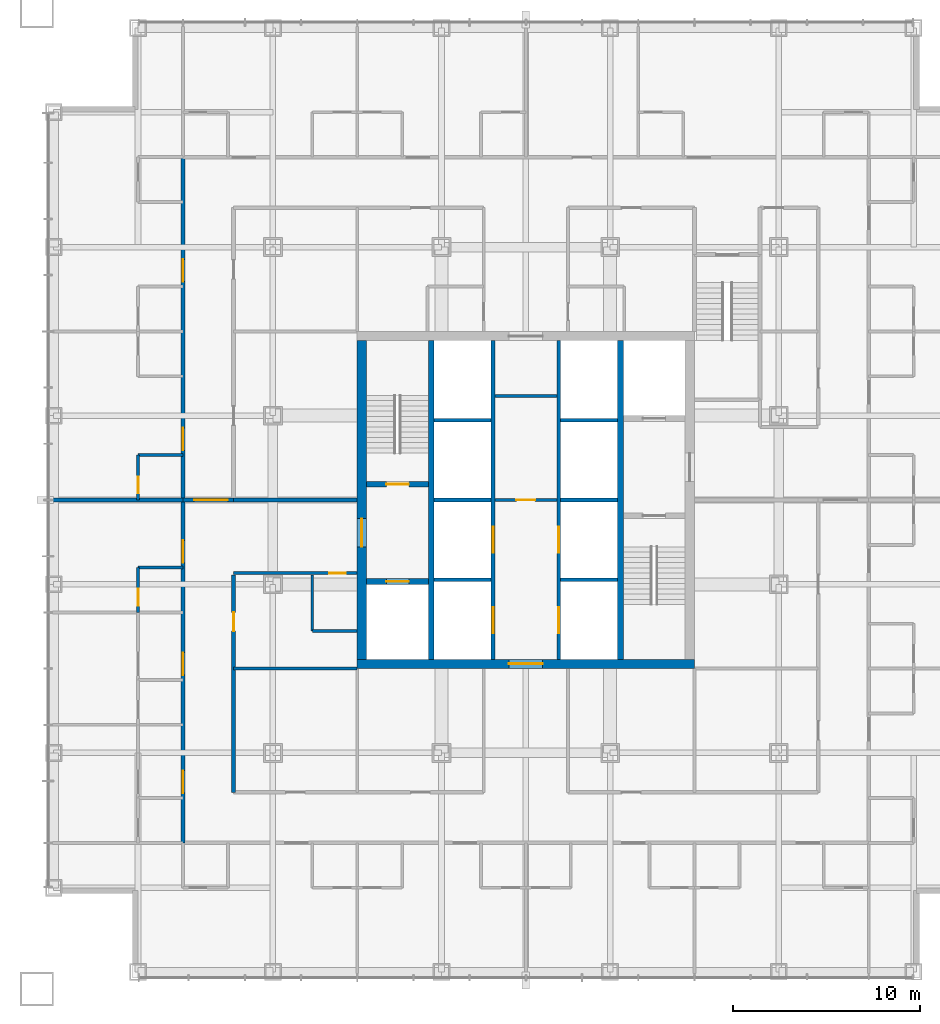
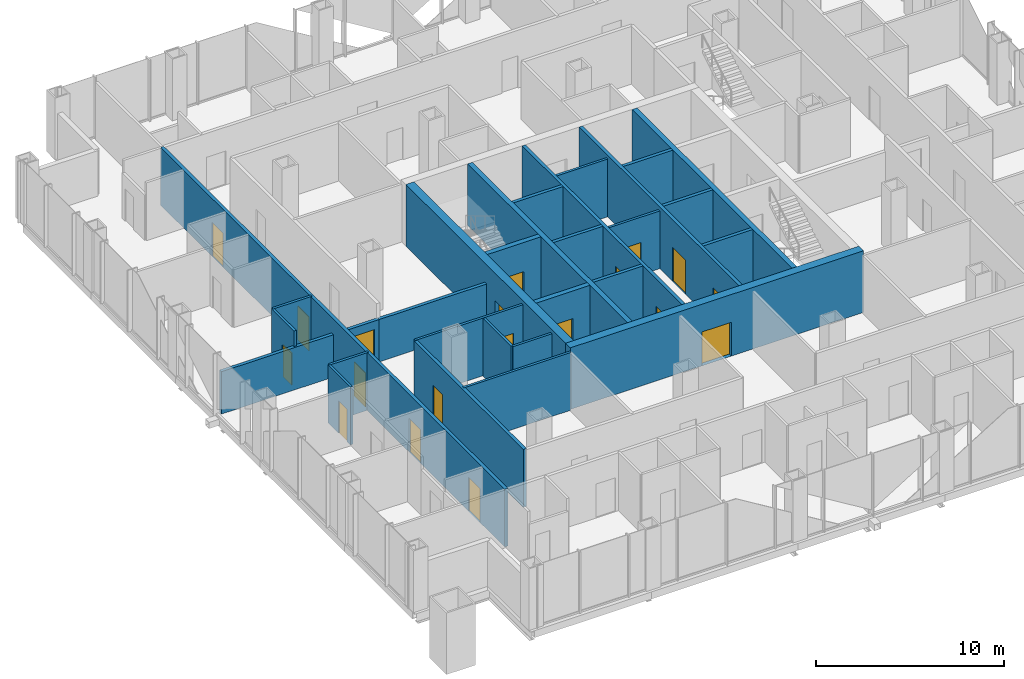
# One storey, part 8 of 13: 29 walls, 19 doors, 19 openings.
"""IFC4 building model written with IfcOpenShell, lengths in metres."""

from ifc_helpers import new_model, si_unit, direction, frame, frame_2d, origin, place, context, subcontext, project, spatial, rectangle, extrude, material, layer, layer_set, type_object, element, fill, save


model = new_model("IFC4")

# Units and contexts
model_context = context("Model", 3, precision=1e-05, world=origin(), true_north=direction((0.0, 1.0)))
body_context = subcontext(model_context, "Body", "Model", "MODEL_VIEW")
ifc_project = project(units=[si_unit("LENGTHUNIT", "METRE"), si_unit("AREAUNIT", "SQUARE_METRE"), si_unit("VOLUMEUNIT", "CUBIC_METRE"), si_unit("PLANEANGLEUNIT", "RADIAN"), si_unit("MASSUNIT", "GRAM", prefix="KILO")], contexts=[model_context])

# Site, building, storey
site_placement = place(None, origin())
site = spatial("IfcSite", under=ifc_project, at=site_placement, CompositionType="ELEMENT")
building_placement = place(site_placement, origin())
building = spatial("IfcBuilding", under=site, at=building_placement, Name="Malebo Sky Hospital", CompositionType="ELEMENT")
storey_placement = place(building_placement, frame((0.0, 0.0, 47.0)))
storey = spatial("IfcBuildingStorey", under=building, at=storey_placement, Name="L10", CompositionType="ELEMENT", Elevation=47.0)

# Wall, openings, doors
ifc_material_1 = material(Name="Concrete C80/95", Category="concrete")
ifc_layer_1 = layer(ifc_material_1, 0.199951171875)
ifc_layer_set_1 = layer_set([ifc_layer_1], Name="CORE INNER WALL 200")
wall_type_1 = type_object("IfcWallType", Name="CORE INNER WALL 200", PredefinedType="SHEAR", material=ifc_layer_set_1)
wall_1_placement = place(storey_placement, frame((58.25, 53.5, 0.0), z_axis=(0.0, 0.0, 1.0), x_axis=(0.0, 1.0, 0.0)))
wall_1 = element("IfcWall", 1, at=wall_1_placement, inside=storey, type_object=wall_type_1, Name="Core wall LW L10", PredefinedType="SHEAR", context=body_context, shape_type="SweptSolid", body=[
    extrude(rectangle(XDim=17.0, YDim=0.199951171875, at=frame_2d((8.5, 0.0))), origin(), (0.0, 0.0, 1.0), 4.0),
])
opening_1_placement = place(wall_1_placement, frame((1.375, 0.0, 0.0)))
opening_1 = element("IfcOpeningElement", 2, at=opening_1_placement, cuts=wall_1, Name="Opening LD1", PredefinedType="OPENING", context=body_context, shape_type="SweptSolid", body=[
    extrude(rectangle(XDim=1.39990234375, YDim=2.199951171875, at=frame_2d((0.699951171875, 1.10009765625))), frame((0.0, 0.10986328125, 0.0), z_axis=(0.0, -1.0, 0.0), x_axis=(1.0, 0.0, 0.0)), (0.0, 0.0, 1.0), 0.219970703125),
])
opening_2_placement = place(wall_1_placement, frame((5.675048828125, 0.0, 0.0)))
opening_2 = element("IfcOpeningElement", 3, at=opening_2_placement, cuts=wall_1, Name="Opening LD1", PredefinedType="OPENING", context=body_context, shape_type="SweptSolid", body=[
    extrude(rectangle(XDim=1.39990234375, YDim=2.199951171875, at=frame_2d((0.699951171875, 1.10009765625))), frame((0.0, 0.10986328125, 0.0), z_axis=(0.0, -1.0, 0.0), x_axis=(1.0, 0.0, 0.0)), (0.0, 0.0, 1.0), 0.219970703125),
])
ifc_material_2 = material(Name="Stainless steel sliding landing door", Category="steel")
door_type_1 = type_object("IfcDoorType", Name="LIFT LANDING DOOR 1400", OperationType="SLIDING_TO_LEFT", PredefinedType="DOOR", material=ifc_material_2)
door_1_placement = place(opening_1_placement, origin())
door_1 = element("IfcDoor", 4, at=door_1_placement, inside=storey, type_object=door_type_1, Name="Lift W1 landing door", OperationType="SLIDING_TO_LEFT", OverallHeight=2.199951171875, OverallWidth=1.39990234375, PredefinedType="DOOR", context=body_context, shape_type="SweptSolid", body=[
    extrude(rectangle(XDim=1.39990234375, YDim=2.199951171875, at=frame_2d((0.699951171875, 1.10009765625))), frame((0.0, 0.02490234375, 0.0), z_axis=(0.0, -1.0, 0.0), x_axis=(1.0, 0.0, 0.0)), (0.0, 0.0, 1.0), 0.050048828125),
])
fill(opening_1, door_1)
door_2_placement = place(opening_2_placement, origin())
door_2 = element("IfcDoor", 5, at=door_2_placement, inside=storey, type_object=door_type_1, Name="Lift W2 landing door", OperationType="SLIDING_TO_LEFT", OverallHeight=2.199951171875, OverallWidth=1.39990234375, PredefinedType="DOOR", context=body_context, shape_type="SweptSolid", body=[
    extrude(rectangle(XDim=1.39990234375, YDim=2.199951171875, at=frame_2d((0.699951171875, 1.10009765625))), frame((0.0, 0.02490234375, 0.0), z_axis=(0.0, -1.0, 0.0), x_axis=(1.0, 0.0, 0.0)), (0.0, 0.0, 1.0), 0.050048828125),
])
fill(opening_2, door_2)

wall_2_placement = place(storey_placement, frame((61.75, 53.5, 0.0), z_axis=(0.0, 0.0, 1.0), x_axis=(0.0, 1.0, 0.0)))
wall_2 = element("IfcWall", 6, at=wall_2_placement, inside=storey, type_object=wall_type_1, Name="Core wall LE L10", PredefinedType="SHEAR", context=body_context, shape_type="SweptSolid", body=[
    extrude(rectangle(XDim=17.0, YDim=0.199951171875, at=frame_2d((8.5, 0.0))), origin(), (0.0, 0.0, 1.0), 4.0),
])
opening_3_placement = place(wall_2_placement, frame((1.375, 0.0, 0.0)))
opening_3 = element("IfcOpeningElement", 7, at=opening_3_placement, cuts=wall_2, Name="Opening LD1", PredefinedType="OPENING", context=body_context, shape_type="SweptSolid", body=[
    extrude(rectangle(XDim=1.39990234375, YDim=2.199951171875, at=frame_2d((0.699951171875, 1.10009765625))), frame((0.0, 0.10986328125, 0.0), z_axis=(0.0, -1.0, 0.0), x_axis=(1.0, 0.0, 0.0)), (0.0, 0.0, 1.0), 0.219970703125),
])
opening_4_placement = place(wall_2_placement, frame((5.675048828125, 0.0, 0.0)))
opening_4 = element("IfcOpeningElement", 8, at=opening_4_placement, cuts=wall_2, Name="Opening LD1", PredefinedType="OPENING", context=body_context, shape_type="SweptSolid", body=[
    extrude(rectangle(XDim=1.39990234375, YDim=2.199951171875, at=frame_2d((0.699951171875, 1.10009765625))), frame((0.0, 0.10986328125, 0.0), z_axis=(0.0, -1.0, 0.0), x_axis=(1.0, 0.0, 0.0)), (0.0, 0.0, 1.0), 0.219970703125),
])
door_3_placement = place(opening_3_placement, origin())
door_3 = element("IfcDoor", 9, at=door_3_placement, inside=storey, type_object=door_type_1, Name="Lift E1 landing door", OperationType="SLIDING_TO_LEFT", OverallHeight=2.199951171875, OverallWidth=1.39990234375, PredefinedType="DOOR", context=body_context, shape_type="SweptSolid", body=[
    extrude(rectangle(XDim=1.39990234375, YDim=2.199951171875, at=frame_2d((0.699951171875, 1.10009765625))), frame((0.0, 0.02490234375, 0.0), z_axis=(0.0, -1.0, 0.0), x_axis=(1.0, 0.0, 0.0)), (0.0, 0.0, 1.0), 0.050048828125),
])
fill(opening_3, door_3)
door_4_placement = place(opening_4_placement, origin())
door_4 = element("IfcDoor", 10, at=door_4_placement, inside=storey, type_object=door_type_1, Name="Lift E2 landing door", OperationType="SLIDING_TO_LEFT", OverallHeight=2.199951171875, OverallWidth=1.39990234375, PredefinedType="DOOR", context=body_context, shape_type="SweptSolid", body=[
    extrude(rectangle(XDim=1.39990234375, YDim=2.199951171875, at=frame_2d((0.699951171875, 1.10009765625))), frame((0.0, 0.02490234375, 0.0), z_axis=(0.0, -1.0, 0.0), x_axis=(1.0, 0.0, 0.0)), (0.0, 0.0, 1.0), 0.050048828125),
])
fill(opening_4, door_4)

# Walls
for number, where, z_axis, x_axis, name in (
    (11, (55.10009765625, 57.75, 0.0), (0.0, 0.0, 1.0), (1.0, 0.0, 0.0), "Core wall SW0 L10"),
    (12, (61.85009765625, 57.75, 0.0), (0.0, 0.0, 1.0), (1.0, 0.0, 0.0), "Core wall SE0 L10"),
    (13, (55.10009765625, 62.0, 0.0), (0.0, 0.0, 1.0), (1.0, 0.0, 0.0), "Core wall SW1 L10"),
    (14, (61.85009765625, 62.0, 0.0), (0.0, 0.0, 1.0), (1.0, 0.0, 0.0), "Core wall SE1 L10"),
    (15, (55.10009765625, 66.25, 0.0), (0.0, 0.0, 1.0), (1.0, 0.0, 0.0), "Core wall SW2 L10"),
    (16, (61.85009765625, 66.25, 0.0), (0.0, 0.0, 1.0), (1.0, 0.0, 0.0), "Core wall SE2 L10"),
):
    element("IfcWall", number, at=place(storey_placement, frame(where, z_axis=z_axis, x_axis=x_axis)), inside=storey, type_object=wall_type_1, Name=name, PredefinedType="SHEAR", context=body_context, shape_type="SweptSolid", body=[
        extrude(rectangle(XDim=3.0498046875, YDim=0.199951171875, at=frame_2d((1.52490234375, 0.0))), origin(), (0.0, 0.0, 1.0), 4.0),
    ])
ifc_layer_2 = layer(ifc_material_1, 0.300048828125)
ifc_layer_set_2 = layer_set([ifc_layer_2], Name="CORE INNER WALL 300")
wall_type_2 = type_object("IfcWallType", Name="CORE INNER WALL 300", PredefinedType="SHEAR", material=ifc_layer_set_2)
for number, where, z_axis, x_axis, name in (
    (17, (54.949951171875, 53.5, 0.0), (0.0, 0.0, 1.0), (0.0, 1.0, 0.0), "Core wall XW L10"),
    (18, (65.050048828125, 53.5, 0.0), (0.0, 0.0, 1.0), (0.0, 1.0, 0.0), "Core wall XE L10"),
):
    element("IfcWall", number, at=place(storey_placement, frame(where, z_axis=z_axis, x_axis=x_axis)), inside=storey, type_object=wall_type_2, Name=name, PredefinedType="SHEAR", context=body_context, shape_type="SweptSolid", body=[
        extrude(rectangle(XDim=17.0, YDim=0.300048828125, at=frame_2d((8.5, 0.0))), origin(), (0.0, 0.0, 1.0), 4.0),
    ])

# Wall, opening, door
wall_3_placement = place(storey_placement, frame((51.5, 62.85009765625, 0.0), z_axis=(0.0, 0.0, 1.0), x_axis=(1.0, 0.0, 0.0)))
wall_3 = element("IfcWall", 19, at=wall_3_placement, inside=storey, type_object=wall_type_2, Name="Core wall W1 L10", PredefinedType="SHEAR", context=body_context, shape_type="SweptSolid", body=[
    extrude(rectangle(XDim=3.300048828125, YDim=0.300048828125, at=frame_2d((1.64990234375, 0.0))), origin(), (0.0, 0.0, 1.0), 4.0),
])
opening_5_placement = place(wall_3_placement, frame((1.050048828125, 0.0, 0.0)))
opening_5 = element("IfcOpeningElement", 20, at=opening_5_placement, cuts=wall_3, Name="Opening D08", PredefinedType="OPENING", context=body_context, shape_type="SweptSolid", body=[
    extrude(rectangle(XDim=1.199951171875, YDim=2.10009765625, at=frame_2d((0.60009765625, 1.050048828125))), frame((0.0, 0.159912109375, 0.0), z_axis=(0.0, -1.0, 0.0), x_axis=(1.0, 0.0, 0.0)), (0.0, 0.0, 1.0), 0.320068359375),
])
ifc_material_3 = material(Name="Hardwood-faced door leaf in steel frame", Category="steel")
door_type_2 = type_object("IfcDoorType", Name="STAIR DOOR 1200", OperationType="SINGLE_SWING_LEFT", PredefinedType="DOOR", material=ifc_material_3)
door_5_placement = place(opening_5_placement, origin())
door_5 = element("IfcDoor", 21, at=door_5_placement, inside=storey, type_object=door_type_2, Name="Stair S1 door", OperationType="SINGLE_SWING_LEFT", OverallHeight=2.10009765625, OverallWidth=1.199951171875, PredefinedType="DOOR", context=body_context, shape_type="SweptSolid", body=[
    extrude(rectangle(XDim=1.199951171875, YDim=2.10009765625, at=frame_2d((0.60009765625, 1.050048828125))), frame((0.0, 0.02490234375, 0.0), z_axis=(0.0, -1.0, 0.0), x_axis=(1.0, 0.0, 0.0)), (0.0, 0.0, 1.0), 0.050048828125),
])
fill(opening_5, door_5)

wall_4_placement = place(storey_placement, frame((51.5, 57.64990234375, 0.0), z_axis=(0.0, 0.0, 1.0), x_axis=(1.0, 0.0, 0.0)))
wall_4 = element("IfcWall", 22, at=wall_4_placement, inside=storey, type_object=wall_type_2, Name="Core wall W2 L10", PredefinedType="SHEAR", context=body_context, shape_type="SweptSolid", body=[
    extrude(rectangle(XDim=3.300048828125, YDim=0.300048828125, at=frame_2d((1.64990234375, 0.0))), origin(), (0.0, 0.0, 1.0), 4.0),
])
opening_6_placement = place(wall_4_placement, frame((1.050048828125, 0.0, 0.0)))
opening_6 = element("IfcOpeningElement", 23, at=opening_6_placement, cuts=wall_4, Name="Opening LD2", PredefinedType="OPENING", context=body_context, shape_type="SweptSolid", body=[
    extrude(rectangle(XDim=1.199951171875, YDim=2.199951171875, at=frame_2d((0.60009765625, 1.10009765625))), frame((0.0, 0.159912109375, 0.0), z_axis=(0.0, -1.0, 0.0), x_axis=(1.0, 0.0, 0.0)), (0.0, 0.0, 1.0), 0.320068359375),
])
door_type_3 = type_object("IfcDoorType", Name="FIRE-FIGHTING LIFT LANDING DOOR 1200", OperationType="SLIDING_TO_LEFT", PredefinedType="DOOR", material=ifc_material_2)
door_6_placement = place(opening_6_placement, origin())
door_6 = element("IfcDoor", 24, at=door_6_placement, inside=storey, type_object=door_type_3, Name="Lift FL1 landing door", OperationType="SLIDING_TO_LEFT", OverallHeight=2.199951171875, OverallWidth=1.199951171875, PredefinedType="DOOR", context=body_context, shape_type="SweptSolid", body=[
    extrude(rectangle(XDim=1.199951171875, YDim=2.199951171875, at=frame_2d((0.60009765625, 1.10009765625))), frame((0.0, 0.02490234375, 0.0), z_axis=(0.0, -1.0, 0.0), x_axis=(1.0, 0.0, 0.0)), (0.0, 0.0, 1.0), 0.050048828125),
])
fill(opening_6, door_6)

ifc_layer_3 = layer(ifc_material_1, 0.5)
ifc_layer_set_3 = layer_set([ifc_layer_3], Name="CORE WALL 500")
wall_type_3 = type_object("IfcWallType", Name="CORE WALL 500", PredefinedType="SHEAR", material=ifc_layer_set_3)
wall_5_placement = place(storey_placement, frame((51.0, 53.25, 0.0), z_axis=(0.0, 0.0, 1.0), x_axis=(1.0, 0.0, 0.0)))
wall_5 = element("IfcWall", 25, at=wall_5_placement, inside=storey, type_object=wall_type_3, Name="Core wall S L10", PredefinedType="SHEAR", context=body_context, shape_type="SweptSolid", body=[
    extrude(rectangle(XDim=18.0, YDim=0.5, at=frame_2d((9.0, 0.0))), origin(), (0.0, 0.0, 1.0), 4.0),
])
opening_7_placement = place(wall_5_placement, frame((8.10009765625, 0.0, 0.0)))
opening_7 = element("IfcOpeningElement", 26, at=opening_7_placement, cuts=wall_5, Name="Opening D06", PredefinedType="OPENING", context=body_context, shape_type="SweptSolid", body=[
    extrude(rectangle(XDim=1.800048828125, YDim=2.199951171875, at=frame_2d((0.89990234375, 1.10009765625))), frame((0.0, 0.260009765625, 0.0), z_axis=(0.0, -1.0, 0.0), x_axis=(1.0, 0.0, 0.0)), (0.0, 0.0, 1.0), 0.52001953125),
])
door_type_4 = type_object("IfcDoorType", Name="LOBBY DOOR PAIR 1800", OperationType="DOUBLE_DOOR_SINGLE_SWING", PredefinedType="DOOR", material=ifc_material_3)
door_7_placement = place(opening_7_placement, origin())
door_7 = element("IfcDoor", 27, at=door_7_placement, inside=storey, type_object=door_type_4, Name="Lift lobby door south", OperationType="DOUBLE_DOOR_SINGLE_SWING", OverallHeight=2.199951171875, OverallWidth=1.800048828125, PredefinedType="DOOR", context=body_context, shape_type="SweptSolid", body=[
    extrude(rectangle(XDim=1.800048828125, YDim=2.199951171875, at=frame_2d((0.89990234375, 1.10009765625))), frame((0.0, 0.02490234375, 0.0), z_axis=(0.0, -1.0, 0.0), x_axis=(1.0, 0.0, 0.0)), (0.0, 0.0, 1.0), 0.050048828125),
])
fill(opening_7, door_7)

wall_6_placement = place(storey_placement, frame((51.25, 53.5, 0.0), z_axis=(0.0, 0.0, 1.0), x_axis=(0.0, 1.0, 0.0)))
wall_6 = element("IfcWall", 28, at=wall_6_placement, inside=storey, type_object=wall_type_3, Name="Core wall W L10", PredefinedType="SHEAR", context=body_context, shape_type="SweptSolid", body=[
    extrude(rectangle(XDim=17.0, YDim=0.5, at=frame_2d((8.5, 0.0))), origin(), (0.0, 0.0, 1.0), 4.0),
])
opening_8_placement = place(wall_6_placement, frame((6.0, 0.0, 0.0)))
opening_8 = element("IfcOpeningElement", 29, at=opening_8_placement, cuts=wall_6, Name="Opening D07", PredefinedType="OPENING", context=body_context, shape_type="SweptSolid", body=[
    extrude(rectangle(XDim=1.5, YDim=2.199951171875, at=frame_2d((0.75, 1.10009765625))), frame((0.0, 0.260009765625, 0.0), z_axis=(0.0, -1.0, 0.0), x_axis=(1.0, 0.0, 0.0)), (0.0, 0.0, 1.0), 0.52001953125),
])
door_type_5 = type_object("IfcDoorType", Name="FIRE-FIGHTING LOBBY DOOR PAIR 1500", OperationType="DOUBLE_DOOR_SINGLE_SWING", PredefinedType="DOOR", material=ifc_material_3)
door_8_placement = place(opening_8_placement, origin())
door_8 = element("IfcDoor", 30, at=door_8_placement, inside=storey, type_object=door_type_5, Name="Fire-fighting lobby door west", OperationType="DOUBLE_DOOR_SINGLE_SWING", OverallHeight=2.199951171875, OverallWidth=1.5, PredefinedType="DOOR", context=body_context, shape_type="SweptSolid", body=[
    extrude(rectangle(XDim=1.5, YDim=2.199951171875, at=frame_2d((0.75, 1.10009765625))), frame((0.0, 0.02490234375, 0.0), z_axis=(0.0, -1.0, 0.0), x_axis=(1.0, 0.0, 0.0)), (0.0, 0.0, 1.0), 0.050048828125),
])
fill(opening_8, door_8)

# Wall, openings, doors
ifc_material_4 = material(Name="Gypsum board on steel studs", Category="steel")
ifc_layer_4 = layer(ifc_material_4, 0.199951171875)
ifc_layer_set_4 = layer_set([ifc_layer_4], Name="CORRIDOR WALL 200")
wall_type_4 = type_object("IfcWallType", Name="CORRIDOR WALL 200", PredefinedType="PARTITIONING", material=ifc_layer_set_4)
wall_7_placement = place(storey_placement, frame((41.699951171875, 43.699951171875, 0.0), z_axis=(0.0, 0.0, 1.0), x_axis=(0.0, 1.0, 0.0)))
wall_7 = element("IfcWall", 31, at=wall_7_placement, inside=storey, type_object=wall_type_4, Name="Corridor Wall 200 WCO", PredefinedType="PARTITIONING", context=body_context, shape_type="SweptSolid", body=[
    extrude(rectangle(XDim=36.60009765625, YDim=0.199951171875, at=frame_2d((18.300048828125, 0.0))), origin(), (0.0, 0.0, 1.0), 3.75),
])
opening_9_placement = place(wall_7_placement, frame((2.64990234375, 0.0, 0.0)))
opening_9 = element("IfcOpeningElement", 32, at=opening_9_placement, cuts=wall_7, Name="Opening D18", PredefinedType="OPENING", context=body_context, shape_type="SweptSolid", body=[
    extrude(rectangle(XDim=1.199951171875, YDim=2.199951171875, at=frame_2d((0.60009765625, 1.10009765625))), frame((0.0, 0.10986328125, 0.0), z_axis=(0.0, -1.0, 0.0), x_axis=(1.0, 0.0, 0.0)), (0.0, 0.0, 1.0), 0.219970703125),
])
opening_10_placement = place(wall_7_placement, frame((8.949951171875, 0.0, 0.0)))
opening_10 = element("IfcOpeningElement", 33, at=opening_10_placement, cuts=wall_7, Name="Opening D18", PredefinedType="OPENING", context=body_context, shape_type="SweptSolid", body=[
    extrude(rectangle(XDim=1.199951171875, YDim=2.199951171875, at=frame_2d((0.60009765625, 1.10009765625))), frame((0.0, 0.10986328125, 0.0), z_axis=(0.0, -1.0, 0.0), x_axis=(1.0, 0.0, 0.0)), (0.0, 0.0, 1.0), 0.219970703125),
])
opening_11_placement = place(wall_7_placement, frame((14.949951171875, 0.0, 0.0)))
opening_11 = element("IfcOpeningElement", 34, at=opening_11_placement, cuts=wall_7, Name="Opening D01", PredefinedType="OPENING", context=body_context, shape_type="SweptSolid", body=[
    extrude(rectangle(XDim=1.199951171875, YDim=2.199951171875, at=frame_2d((0.60009765625, 1.10009765625))), frame((0.0, 0.10986328125, 0.0), z_axis=(0.0, -1.0, 0.0), x_axis=(1.0, 0.0, 0.0)), (0.0, 0.0, 1.0), 0.219970703125),
])
opening_12_placement = place(wall_7_placement, frame((20.949951171875, 0.0, 0.0)))
opening_12 = element("IfcOpeningElement", 35, at=opening_12_placement, cuts=wall_7, Name="Opening D01", PredefinedType="OPENING", context=body_context, shape_type="SweptSolid", body=[
    extrude(rectangle(XDim=1.199951171875, YDim=2.199951171875, at=frame_2d((0.60009765625, 1.10009765625))), frame((0.0, 0.10986328125, 0.0), z_axis=(0.0, -1.0, 0.0), x_axis=(1.0, 0.0, 0.0)), (0.0, 0.0, 1.0), 0.219970703125),
])
opening_13_placement = place(wall_7_placement, frame((29.949951171875, 0.0, 0.0)))
opening_13 = element("IfcOpeningElement", 36, at=opening_13_placement, cuts=wall_7, Name="Opening D01", PredefinedType="OPENING", context=body_context, shape_type="SweptSolid", body=[
    extrude(rectangle(XDim=1.199951171875, YDim=2.199951171875, at=frame_2d((0.60009765625, 1.10009765625))), frame((0.0, 0.10986328125, 0.0), z_axis=(0.0, -1.0, 0.0), x_axis=(1.0, 0.0, 0.0)), (0.0, 0.0, 1.0), 0.219970703125),
])
door_type_6 = type_object("IfcDoorType", Name="ANTEROOM DOOR 1200", OperationType="SINGLE_SWING_LEFT", PredefinedType="DOOR", material=ifc_material_3)
door_9_placement = place(opening_9_placement, origin())
door_9 = element("IfcDoor", 37, at=door_9_placement, inside=storey, type_object=door_type_6, Name="Anteroom door", OperationType="SINGLE_SWING_LEFT", OverallHeight=2.199951171875, OverallWidth=1.199951171875, PredefinedType="DOOR", context=body_context, shape_type="SweptSolid", body=[
    extrude(rectangle(XDim=1.199951171875, YDim=2.199951171875, at=frame_2d((0.60009765625, 1.10009765625))), frame((0.0, 0.02490234375, 0.0), z_axis=(0.0, -1.0, 0.0), x_axis=(1.0, 0.0, 0.0)), (0.0, 0.0, 1.0), 0.050048828125),
])
fill(opening_9, door_9)
door_10_placement = place(opening_10_placement, origin())
door_10 = element("IfcDoor", 38, at=door_10_placement, inside=storey, type_object=door_type_6, Name="Anteroom door", OperationType="SINGLE_SWING_LEFT", OverallHeight=2.199951171875, OverallWidth=1.199951171875, PredefinedType="DOOR", context=body_context, shape_type="SweptSolid", body=[
    extrude(rectangle(XDim=1.199951171875, YDim=2.199951171875, at=frame_2d((0.60009765625, 1.10009765625))), frame((0.0, 0.02490234375, 0.0), z_axis=(0.0, -1.0, 0.0), x_axis=(1.0, 0.0, 0.0)), (0.0, 0.0, 1.0), 0.050048828125),
])
fill(opening_10, door_10)
door_type_7 = type_object("IfcDoorType", Name="BED DOOR 1200", OperationType="SINGLE_SWING_LEFT", PredefinedType="DOOR", material=ifc_material_3)
door_11_placement = place(opening_11_placement, origin())
door_11 = element("IfcDoor", 39, at=door_11_placement, inside=storey, type_object=door_type_7, Name="Two-bed room door", OperationType="SINGLE_SWING_LEFT", OverallHeight=2.199951171875, OverallWidth=1.199951171875, PredefinedType="DOOR", context=body_context, shape_type="SweptSolid", body=[
    extrude(rectangle(XDim=1.199951171875, YDim=2.199951171875, at=frame_2d((0.60009765625, 1.10009765625))), frame((0.0, 0.02490234375, 0.0), z_axis=(0.0, -1.0, 0.0), x_axis=(1.0, 0.0, 0.0)), (0.0, 0.0, 1.0), 0.050048828125),
])
fill(opening_11, door_11)
door_12_placement = place(opening_12_placement, origin())
door_12 = element("IfcDoor", 40, at=door_12_placement, inside=storey, type_object=door_type_7, Name="Four-bed bay door", OperationType="SINGLE_SWING_LEFT", OverallHeight=2.199951171875, OverallWidth=1.199951171875, PredefinedType="DOOR", context=body_context, shape_type="SweptSolid", body=[
    extrude(rectangle(XDim=1.199951171875, YDim=2.199951171875, at=frame_2d((0.60009765625, 1.10009765625))), frame((0.0, 0.02490234375, 0.0), z_axis=(0.0, -1.0, 0.0), x_axis=(1.0, 0.0, 0.0)), (0.0, 0.0, 1.0), 0.050048828125),
])
fill(opening_12, door_12)
door_13_placement = place(opening_13_placement, origin())
door_13 = element("IfcDoor", 41, at=door_13_placement, inside=storey, type_object=door_type_7, Name="Four-bed bay door", OperationType="SINGLE_SWING_LEFT", OverallHeight=2.199951171875, OverallWidth=1.199951171875, PredefinedType="DOOR", context=body_context, shape_type="SweptSolid", body=[
    extrude(rectangle(XDim=1.199951171875, YDim=2.199951171875, at=frame_2d((0.60009765625, 1.10009765625))), frame((0.0, 0.02490234375, 0.0), z_axis=(0.0, -1.0, 0.0), x_axis=(1.0, 0.0, 0.0)), (0.0, 0.0, 1.0), 0.050048828125),
])
fill(opening_13, door_13)

# Wall, opening, door
wall_8_placement = place(storey_placement, frame((44.39990234375, 46.39990234375, 0.0), z_axis=(0.0, 0.0, 1.0), x_axis=(0.0, 1.0, 0.0)))
wall_8 = element("IfcWall", 42, at=wall_8_placement, inside=storey, type_object=wall_type_4, Name="Corridor Wall 200 WCI1", PredefinedType="PARTITIONING", context=body_context, shape_type="SweptSolid", body=[
    extrude(rectangle(XDim=11.60009765625, YDim=0.199951171875, at=frame_2d((5.800048828125, 0.0))), origin(), (0.0, 0.0, 1.0), 3.75),
])
opening_14_placement = place(wall_8_placement, frame((8.60009765625, 0.0, 0.0)))
opening_14 = element("IfcOpeningElement", 43, at=opening_14_placement, cuts=wall_8, Name="Opening D03", PredefinedType="OPENING", context=body_context, shape_type="SweptSolid", body=[
    extrude(rectangle(XDim=1.0, YDim=2.10009765625, at=frame_2d((0.5, 1.050048828125))), frame((0.0, 0.10986328125, 0.0), z_axis=(0.0, -1.0, 0.0), x_axis=(1.0, 0.0, 0.0)), (0.0, 0.0, 1.0), 0.219970703125),
])
door_type_8 = type_object("IfcDoorType", Name="ROOM DOOR 1000", OperationType="SINGLE_SWING_LEFT", PredefinedType="DOOR", material=ifc_material_3)
door_14_placement = place(opening_14_placement, origin())
door_14 = element("IfcDoor", 44, at=door_14_placement, inside=storey, type_object=door_type_8, Name="Linen store door", OperationType="SINGLE_SWING_LEFT", OverallHeight=2.10009765625, OverallWidth=1.0, PredefinedType="DOOR", context=body_context, shape_type="SweptSolid", body=[
    extrude(rectangle(XDim=1.0, YDim=2.10009765625, at=frame_2d((0.5, 1.050048828125))), frame((0.0, 0.02490234375, 0.0), z_axis=(0.0, -1.0, 0.0), x_axis=(1.0, 0.0, 0.0)), (0.0, 0.0, 1.0), 0.050048828125),
])
fill(opening_14, door_14)

ifc_layer_5 = layer(ifc_material_4, 0.14990234375)
ifc_layer_set_5 = layer_set([ifc_layer_5], Name="PARTITION 150")
wall_type_5 = type_object("IfcWallType", Name="PARTITION 150", PredefinedType="PARTITIONING", material=ifc_layer_set_5)
wall_9_placement = place(storey_placement, frame((39.300048828125, 56.0, 0.0), z_axis=(0.0, 0.0, 1.0), x_axis=(0.0, 1.0, 0.0)))
wall_9 = element("IfcWall", 45, at=wall_9_placement, inside=storey, type_object=wall_type_5, Name="Partition 150 WE2F", PredefinedType="PARTITIONING", context=body_context, shape_type="SweptSolid", body=[
    extrude(rectangle(XDim=2.39990234375, YDim=0.14990234375, at=frame_2d((1.199951171875, 0.0))), origin(), (0.0, 0.0, 1.0), 3.75),
])
opening_15_placement = place(wall_9_placement, frame((0.35009765625, 0.0, 0.0)))
opening_15 = element("IfcOpeningElement", 46, at=opening_15_placement, cuts=wall_9, Name="Opening D02", PredefinedType="OPENING", context=body_context, shape_type="SweptSolid", body=[
    extrude(rectangle(XDim=0.89990234375, YDim=2.10009765625, at=frame_2d((0.449951171875, 1.050048828125))), frame((0.0, 0.0849609375, 0.0), z_axis=(0.0, -1.0, 0.0), x_axis=(1.0, 0.0, 0.0)), (0.0, 0.0, 1.0), 0.169921875),
])
door_type_9 = type_object("IfcDoorType", Name="EN-SUITE DOOR 900", OperationType="SINGLE_SWING_LEFT", PredefinedType="DOOR", material=ifc_material_3)
door_15_placement = place(opening_15_placement, origin())
door_15 = element("IfcDoor", 47, at=door_15_placement, inside=storey, type_object=door_type_9, Name="En-suite door", OperationType="SINGLE_SWING_LEFT", OverallHeight=2.10009765625, OverallWidth=0.89990234375, PredefinedType="DOOR", context=body_context, shape_type="SweptSolid", body=[
    extrude(rectangle(XDim=0.89990234375, YDim=2.10009765625, at=frame_2d((0.449951171875, 1.050048828125))), frame((0.0, 0.02490234375, 0.0), z_axis=(0.0, -1.0, 0.0), x_axis=(1.0, 0.0, 0.0)), (0.0, 0.0, 1.0), 0.050048828125),
])
fill(opening_15, door_15)

# Wall
wall_10_placement = place(storey_placement, frame((41.699951171875, 58.39990234375, 0.0), z_axis=(0.0, 0.0, 1.0), x_axis=(-1.0, 0.0, 0.0)))
element("IfcWall", 48, at=wall_10_placement, inside=storey, type_object=wall_type_5, Name="Partition 150 WE2S", PredefinedType="PARTITIONING", context=body_context, shape_type="SweptSolid", body=[
    extrude(rectangle(XDim=2.39990234375, YDim=0.14990234375, at=frame_2d((1.199951171875, 0.0))), origin(), (0.0, 0.0, 1.0), 3.75),
])

# Wall, opening, door
wall_11_placement = place(storey_placement, frame((39.300048828125, 62.0, 0.0), z_axis=(0.0, 0.0, 1.0), x_axis=(0.0, 1.0, 0.0)))
wall_11 = element("IfcWall", 49, at=wall_11_placement, inside=storey, type_object=wall_type_5, Name="Partition 150 WE3F", PredefinedType="PARTITIONING", context=body_context, shape_type="SweptSolid", body=[
    extrude(rectangle(XDim=2.39990234375, YDim=0.14990234375, at=frame_2d((1.199951171875, 0.0))), origin(), (0.0, 0.0, 1.0), 3.75),
])
opening_16_placement = place(wall_11_placement, frame((0.35009765625, 0.0, 0.0)))
opening_16 = element("IfcOpeningElement", 50, at=opening_16_placement, cuts=wall_11, Name="Opening D02", PredefinedType="OPENING", context=body_context, shape_type="SweptSolid", body=[
    extrude(rectangle(XDim=0.89990234375, YDim=2.10009765625, at=frame_2d((0.449951171875, 1.050048828125))), frame((0.0, 0.0849609375, 0.0), z_axis=(0.0, -1.0, 0.0), x_axis=(1.0, 0.0, 0.0)), (0.0, 0.0, 1.0), 0.169921875),
])
door_16_placement = place(opening_16_placement, origin())
door_16 = element("IfcDoor", 51, at=door_16_placement, inside=storey, type_object=door_type_9, Name="En-suite door", OperationType="SINGLE_SWING_LEFT", OverallHeight=2.10009765625, OverallWidth=0.89990234375, PredefinedType="DOOR", context=body_context, shape_type="SweptSolid", body=[
    extrude(rectangle(XDim=0.89990234375, YDim=2.10009765625, at=frame_2d((0.449951171875, 1.050048828125))), frame((0.0, 0.02490234375, 0.0), z_axis=(0.0, -1.0, 0.0), x_axis=(1.0, 0.0, 0.0)), (0.0, 0.0, 1.0), 0.050048828125),
])
fill(opening_16, door_16)

# Walls
wall_12_placement = place(storey_placement, frame((41.699951171875, 64.39990234375, 0.0), z_axis=(0.0, 0.0, 1.0), x_axis=(-1.0, 0.0, 0.0)))
element("IfcWall", 52, at=wall_12_placement, inside=storey, type_object=wall_type_5, Name="Partition 150 WE3S", PredefinedType="PARTITIONING", context=body_context, shape_type="SweptSolid", body=[
    extrude(rectangle(XDim=2.39990234375, YDim=0.14990234375, at=frame_2d((1.199951171875, 0.0))), origin(), (0.0, 0.0, 1.0), 3.75),
])
wall_13_placement = place(storey_placement, frame((51.0, 53.0, 0.0), z_axis=(0.0, 0.0, 1.0), x_axis=(-1.0, 0.0, 0.0)))
element("IfcWall", 53, at=wall_13_placement, inside=storey, type_object=wall_type_5, Name="Partition 150 WSP0", PredefinedType="PARTITIONING", context=body_context, shape_type="SweptSolid", body=[
    extrude(rectangle(XDim=6.60009765625, YDim=0.14990234375, at=frame_2d((3.300048828125, 0.0))), origin(), (0.0, 0.0, 1.0), 3.75),
])

# Wall, opening, door
wall_14_placement = place(storey_placement, frame((51.0, 58.10009765625, 0.0), z_axis=(0.0, 0.0, 1.0), x_axis=(-1.0, 0.0, 0.0)))
wall_14 = element("IfcWall", 54, at=wall_14_placement, inside=storey, type_object=wall_type_5, Name="Partition 150 WSPA", PredefinedType="PARTITIONING", context=body_context, shape_type="SweptSolid", body=[
    extrude(rectangle(XDim=6.60009765625, YDim=0.14990234375, at=frame_2d((3.300048828125, 0.0))), origin(), (0.0, 0.0, 1.0), 3.75),
])
opening_17_placement = place(wall_14_placement, frame((0.60009765625, 0.0, 0.0)))
opening_17 = element("IfcOpeningElement", 55, at=opening_17_placement, cuts=wall_14, Name="Opening D04", PredefinedType="OPENING", context=body_context, shape_type="SweptSolid", body=[
    extrude(rectangle(XDim=0.89990234375, YDim=2.10009765625, at=frame_2d((0.449951171875, 1.050048828125))), frame((0.0, 0.0849609375, 0.0), z_axis=(0.0, -1.0, 0.0), x_axis=(1.0, 0.0, 0.0)), (0.0, 0.0, 1.0), 0.169921875),
])
door_type_10 = type_object("IfcDoorType", Name="ROOM DOOR 900", OperationType="SINGLE_SWING_LEFT", PredefinedType="DOOR", material=ifc_material_3)
door_17_placement = place(opening_17_placement, origin())
door_17 = element("IfcDoor", 56, at=door_17_placement, inside=storey, type_object=door_type_10, Name="Cleaner's room door", OperationType="SINGLE_SWING_LEFT", OverallHeight=2.10009765625, OverallWidth=0.89990234375, PredefinedType="DOOR", context=body_context, shape_type="SweptSolid", body=[
    extrude(rectangle(XDim=0.89990234375, YDim=2.10009765625, at=frame_2d((0.449951171875, 1.050048828125))), frame((0.0, 0.02490234375, 0.0), z_axis=(0.0, -1.0, 0.0), x_axis=(1.0, 0.0, 0.0)), (0.0, 0.0, 1.0), 0.050048828125),
])
fill(opening_17, door_17)

# Walls
wall_15_placement = place(storey_placement, frame((48.60009765625, 55.0, 0.0), z_axis=(0.0, 0.0, 1.0), x_axis=(0.0, 1.0, 0.0)))
element("IfcWall", 57, at=wall_15_placement, inside=storey, type_object=wall_type_5, Name="Partition 150 WSX0", PredefinedType="PARTITIONING", context=body_context, shape_type="SweptSolid", body=[
    extrude(rectangle(XDim=3.0, YDim=0.14990234375, at=frame_2d((1.5, 0.0))), origin(), (0.0, 0.0, 1.0), 3.75),
])
wall_16_placement = place(storey_placement, frame((51.0, 55.0, 0.0), z_axis=(0.0, 0.0, 1.0), x_axis=(-1.0, 0.0, 0.0)))
element("IfcWall", 58, at=wall_16_placement, inside=storey, type_object=wall_type_5, Name="Partition 150 WSY0", PredefinedType="PARTITIONING", context=body_context, shape_type="SweptSolid", body=[
    extrude(rectangle(XDim=2.39990234375, YDim=0.14990234375, at=frame_2d((1.199951171875, 0.0))), origin(), (0.0, 0.0, 1.0), 3.75),
])

# Wall, opening, door
wall_17_placement = place(storey_placement, frame((58.35009765625, 62.0, 0.0), z_axis=(0.0, 0.0, 1.0), x_axis=(1.0, 0.0, 0.0)))
wall_17 = element("IfcWall", 59, at=wall_17_placement, inside=storey, type_object=wall_type_5, Name="Partition 150 LBN", PredefinedType="PARTITIONING", context=body_context, shape_type="SweptSolid", body=[
    extrude(rectangle(XDim=3.2998046875, YDim=0.14990234375, at=frame_2d((1.64990234375, 0.0))), origin(), (0.0, 0.0, 1.0), 3.75),
])
opening_18_placement = place(wall_17_placement, frame((1.14990234375, 0.0, 0.0)))
opening_18 = element("IfcOpeningElement", 60, at=opening_18_placement, cuts=wall_17, Name="Opening D03", PredefinedType="OPENING", context=body_context, shape_type="SweptSolid", body=[
    extrude(rectangle(XDim=1.0, YDim=2.10009765625, at=frame_2d((0.5, 1.050048828125))), frame((0.0, 0.0849609375, 0.0), z_axis=(0.0, -1.0, 0.0), x_axis=(1.0, 0.0, 0.0)), (0.0, 0.0, 1.0), 0.169921875),
])
door_18_placement = place(opening_18_placement, origin())
door_18 = element("IfcDoor", 61, at=door_18_placement, inside=storey, type_object=door_type_8, Name="Housekeeping store door", OperationType="SINGLE_SWING_LEFT", OverallHeight=2.10009765625, OverallWidth=1.0, PredefinedType="DOOR", context=body_context, shape_type="SweptSolid", body=[
    extrude(rectangle(XDim=1.0, YDim=2.10009765625, at=frame_2d((0.5, 1.050048828125))), frame((0.0, 0.02490234375, 0.0), z_axis=(0.0, -1.0, 0.0), x_axis=(1.0, 0.0, 0.0)), (0.0, 0.0, 1.0), 0.050048828125),
])
fill(opening_18, door_18)

# Walls
wall_18_placement = place(storey_placement, frame((58.35009765625, 67.55126953125, 0.0), z_axis=(0.0, 0.0, 1.0), x_axis=(1.0, 0.0, 0.0)))
element("IfcWall", 62, at=wall_18_placement, inside=storey, type_object=wall_type_5, Name="Partition 150 LBN1", PredefinedType="PARTITIONING", context=body_context, shape_type="SweptSolid", body=[
    extrude(rectangle(XDim=3.2998046875, YDim=0.14990234375, at=frame_2d((1.64990234375, 0.0))), origin(), (0.0, 0.0, 1.0), 3.75),
])
ifc_material_5 = material(Name="Concrete blockwork", Category="masonry")
ifc_layer_6 = layer(ifc_material_5, 0.199951171875)
ifc_layer_set_6 = layer_set([ifc_layer_6], Name="SMOKE BARRIER WALL 200")
wall_type_6 = type_object("IfcWallType", Name="SMOKE BARRIER WALL 200", PredefinedType="SOLIDWALL", material=ifc_layer_set_6)
wall_19_placement = place(storey_placement, frame((41.699951171875, 62.0, 0.0), z_axis=(0.0, 0.0, 1.0), x_axis=(-1.0, 0.0, 0.0)))
element("IfcWall", 63, at=wall_19_placement, inside=storey, type_object=wall_type_6, Name="Smoke Barrier Wall 200 WP+0.0", PredefinedType="SOLIDWALL", context=body_context, shape_type="SweptSolid", body=[
    extrude(rectangle(XDim=6.974853515625, YDim=0.199951171875, at=frame_2d((3.4873046875, 0.0))), origin(), (0.0, 0.0, 1.0), 2.75),
])
wall_20_placement = place(storey_placement, frame((51.0, 62.0, 0.0), z_axis=(0.0, 0.0, 1.0), x_axis=(-1.0, 0.0, 0.0)))
element("IfcWall", 64, at=wall_20_placement, inside=storey, type_object=wall_type_6, Name="Smoke Barrier Wall 200 WSPB", PredefinedType="SOLIDWALL", context=body_context, shape_type="SweptSolid", body=[
    extrude(rectangle(XDim=6.60009765625, YDim=0.199951171875, at=frame_2d((3.300048828125, 0.0))), origin(), (0.0, 0.0, 1.0), 2.75),
])

# Wall, opening, door
wall_21_placement = place(storey_placement, frame((44.39990234375, 62.0, 0.0), z_axis=(0.0, 0.0, 1.0), x_axis=(-1.0, 0.0, 0.0)))
wall_21 = element("IfcWall", 65, at=wall_21_placement, inside=storey, type_object=wall_type_6, Name="Smoke Barrier Wall 200 WSB", PredefinedType="SOLIDWALL", context=body_context, shape_type="SweptSolid", body=[
    extrude(rectangle(XDim=2.699951171875, YDim=0.199951171875, at=frame_2d((1.35009765625, 0.0))), origin(), (0.0, 0.0, 1.0), 2.75),
])
opening_19_placement = place(wall_21_placement, frame((0.300048828125, 0.0, 0.0)))
opening_19 = element("IfcOpeningElement", 66, at=opening_19_placement, cuts=wall_21, Name="Opening D05", PredefinedType="OPENING", context=body_context, shape_type="SweptSolid", body=[
    extrude(rectangle(XDim=1.800048828125, YDim=2.199951171875, at=frame_2d((0.89990234375, 1.10009765625))), frame((0.0, 0.10986328125, 0.0), z_axis=(0.0, -1.0, 0.0), x_axis=(1.0, 0.0, 0.0)), (0.0, 0.0, 1.0), 0.219970703125),
])
door_type_11 = type_object("IfcDoorType", Name="SMOKE DOOR PAIR 1800", OperationType="DOUBLE_DOOR_DOUBLE_SWING", PredefinedType="DOOR", material=ifc_material_3)
door_19_placement = place(opening_19_placement, origin())
door_19 = element("IfcDoor", 67, at=door_19_placement, inside=storey, type_object=door_type_11, Name="Smoke compartment door pair", OperationType="DOUBLE_DOOR_DOUBLE_SWING", OverallHeight=2.199951171875, OverallWidth=1.800048828125, PredefinedType="DOOR", context=body_context, shape_type="SweptSolid", body=[
    extrude(rectangle(XDim=1.800048828125, YDim=2.199951171875, at=frame_2d((0.89990234375, 1.10009765625))), frame((0.0, 0.02490234375, 0.0), z_axis=(0.0, -1.0, 0.0), x_axis=(1.0, 0.0, 0.0)), (0.0, 0.0, 1.0), 0.050048828125),
])
fill(opening_19, door_19)

save(model, "model.ifc")
